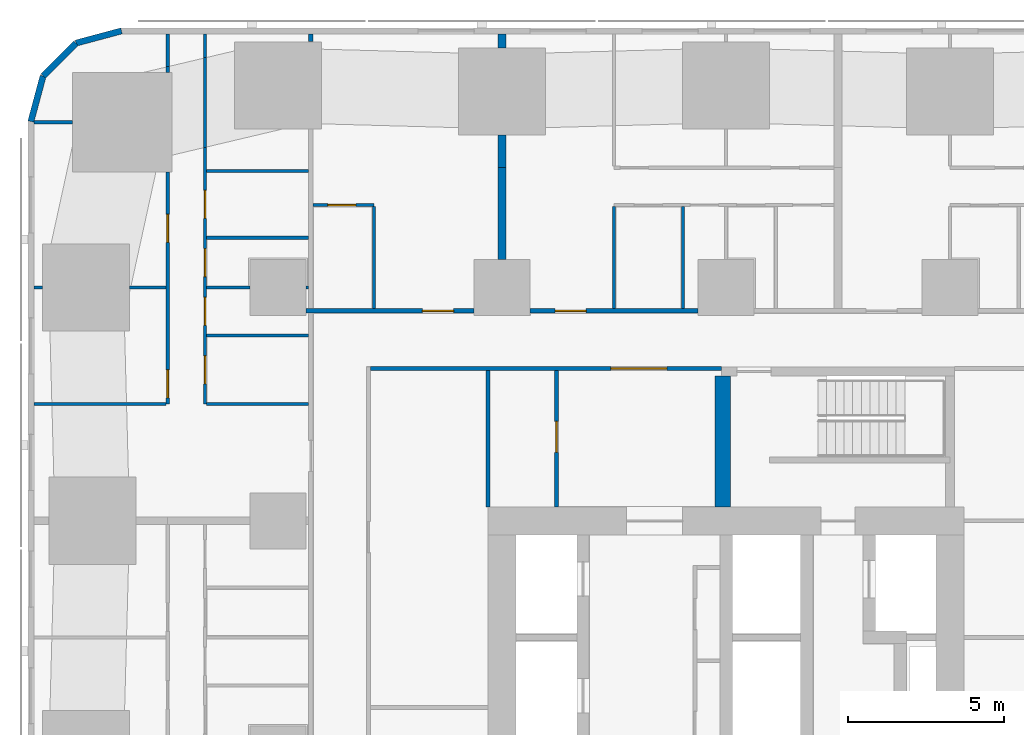
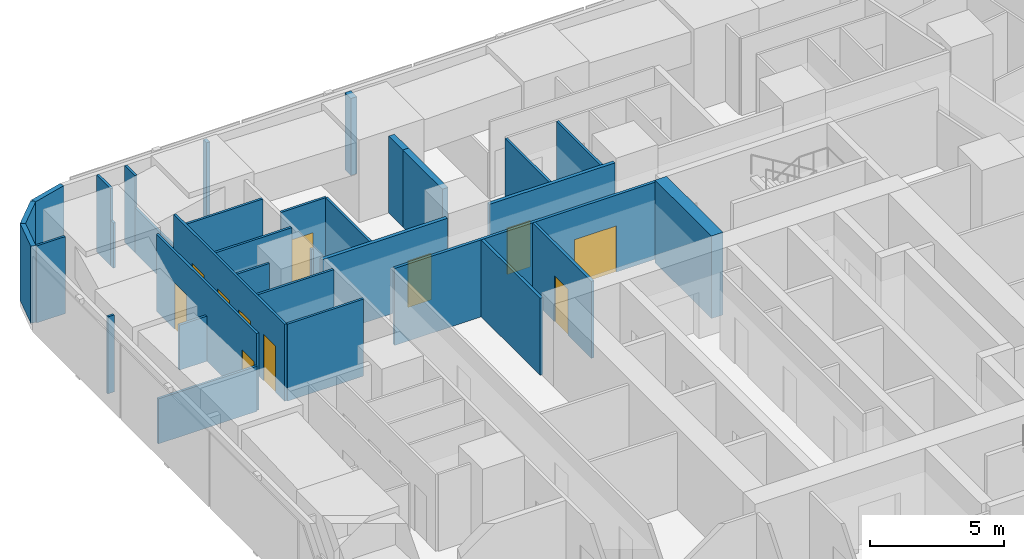
# One storey, part 11 of 18: 33 walls, 11 doors, 11 openings.
"""IFC4 building model written with IfcOpenShell, lengths in metres."""

import ifcopenshell
import ifcopenshell.guid

model = None  # the IFC model being written
_history = None  # IfcOwnerHistory: only IFC2X3 demands one
_inside = {}  # id of a spatial element -> (the spatial element, [elements in it])
_under = {}  # id of a project, library or spatial element -> (it, [spatial elements below it])
_declared = {}  # id of a project -> (the project, [libraries it declares])
_typed = {}  # id of a type object -> (the type object, [elements of that type])
_made_of = {}  # id of a material, layer set ... -> (it, [elements and type objects made of it])


def new_model(schema):
    """Start an empty IFC model of exactly this schema.

    Asked for "IFC4X3", IfcOpenShell would pick the latest addendum, in which some entities
    have other attributes; the version numbers below select the first issue.
    IFC2X3 requires an IfcOwnerHistory on every rooted entity: one is made here for all.
    """
    global model, _history
    if schema == "IFC4X3":
        model = ifcopenshell.file(schema_version=(4, 3, 0, 0))
    else:
        model = ifcopenshell.file(schema=schema)
    _inside.clear()
    _under.clear()
    _declared.clear()
    _typed.clear()
    _made_of.clear()
    _history = None
    if model.schema == "IFC2X3":
        org = make("IfcOrganization", Name="unknown")
        user = make(
            "IfcPersonAndOrganization",
            ThePerson=make("IfcPerson", FamilyName="unknown"),
            TheOrganization=org,
        )
        app = make(
            "IfcApplication",
            ApplicationDeveloper=org,
            Version="unknown",
            ApplicationFullName="unknown",
            ApplicationIdentifier="unknown",
        )
        _history = make(
            "IfcOwnerHistory",
            OwningUser=user,
            OwningApplication=app,
            ChangeAction="ADDED",
            CreationDate=0,
        )
    return model


def make(cls, **values):
    """One entity of the class cls with the attributes given. An attribute that is None is left unset."""
    return model.create_entity(
        cls, **{name: value for name, value in values.items() if value is not None}
    )


def rooted(cls, **values):
    """An entity with a GlobalId (a new one), such as an element, a storey or a relation."""
    return make(cls, GlobalId=ifcopenshell.guid.new(), OwnerHistory=_history, **values)


def si_unit(unit_type, name, prefix=None):
    """IfcSIUnit, for example si_unit("LENGTHUNIT", "METRE", prefix="MILLI")."""
    return make("IfcSIUnit", UnitType=unit_type, Prefix=prefix, Name=name)


def assignment(units):
    """IfcUnitAssignment: the units of a project."""
    return None if units is None else make("IfcUnitAssignment", Units=units)


def point(xyz):
    """IfcCartesianPoint."""
    return None if xyz is None else make("IfcCartesianPoint", Coordinates=xyz)


def direction(xyz):
    """IfcDirection."""
    return None if xyz is None else make("IfcDirection", DirectionRatios=xyz)


def frame(location, z_axis=None, x_axis=None):
    """IfcAxis2Placement3D, a coordinate frame: its origin and axes. An axis left out is left unset."""
    return make(
        "IfcAxis2Placement3D",
        Location=point(location),
        Axis=direction(z_axis),
        RefDirection=direction(x_axis),
    )


def frame_2d(location, x_axis=None):
    """IfcAxis2Placement2D, a coordinate frame in the plane: its origin and x axis."""
    return make(
        "IfcAxis2Placement2D", Location=point(location), RefDirection=direction(x_axis)
    )


def origin():
    """The frame at (0, 0, 0) with its axes left unset."""
    return frame((0.0, 0.0, 0.0))


def place(relative_to, where):
    """IfcLocalPlacement: puts the frame where relative to a parent placement (None: the world)."""
    return make(
        "IfcLocalPlacement", PlacementRelTo=relative_to, RelativePlacement=where
    )


def context(
    kind, dimensions, precision=None, world=None, true_north=None, identifier=None
):
    """IfcGeometricRepresentationContext, for example the 3D "Model" context."""
    return make(
        "IfcGeometricRepresentationContext",
        ContextIdentifier=identifier,
        ContextType=kind,
        CoordinateSpaceDimension=dimensions,
        Precision=precision,
        WorldCoordinateSystem=world,
        TrueNorth=true_north,
    )


def subcontext(parent, identifier, kind, view, scale=None):
    """IfcGeometricRepresentationSubContext, for example "Body" below "Model"."""
    return make(
        "IfcGeometricRepresentationSubContext",
        ContextIdentifier=identifier,
        ContextType=kind,
        ParentContext=parent,
        TargetScale=scale,
        TargetView=view,
    )


def project(units=None, contexts=None):
    """IfcProject with its units and contexts."""
    return rooted(
        "IfcProject",
        Name="project",
        RepresentationContexts=contexts,
        UnitsInContext=assignment(units),
    )


def spatial(cls, under=None, at=None, **own):
    """A site, building, storey or space (cls), placed at a placement, below another one or the project."""
    s = rooted(cls, ObjectPlacement=at, **own)
    if under is not None:
        _under.setdefault(under.id(), (under, []))[1].append(s)
    return s


def profile(cls, at=None, kind="AREA", **sizes):
    """A parametric profile (cls). Its sizes go by their IFC names, for example OverallWidth=200.0."""
    return make(cls, ProfileType=kind, Position=at, **sizes)


def rectangle(**sizes):
    """IfcRectangleProfileDef."""
    return profile("IfcRectangleProfileDef", **sizes)


def extrude(swept, where, along, depth):
    """IfcExtrudedAreaSolid: the profile swept, set in the frame where, extruded along a direction by depth."""
    return make(
        "IfcExtrudedAreaSolid",
        SweptArea=swept,
        Position=where,
        ExtrudedDirection=direction(along),
        Depth=depth,
    )


def shape(context_of_items, identifier, shape_type, items):
    """IfcShapeRepresentation: the items that make up one representation, for example the "Body"."""
    return make(
        "IfcShapeRepresentation",
        ContextOfItems=context_of_items,
        RepresentationIdentifier=identifier,
        RepresentationType=shape_type,
        Items=items,
    )


def material(Name=None, Category=None):
    """IfcMaterial."""
    return make("IfcMaterial", Name=Name, Category=Category)


def layer(
    of_material, thickness, ventilated=None, Name=None, Category=None, Priority=None
):
    """IfcMaterialLayer: one layer of a wall or slab, of a material (None: an air gap)."""
    return make(
        "IfcMaterialLayer",
        Material=of_material,
        LayerThickness=thickness,
        IsVentilated=ventilated,
        Name=Name,
        Category=Category,
        Priority=Priority,
    )


def layer_set(layers, Name=None):
    """IfcMaterialLayerSet."""
    return make("IfcMaterialLayerSet", MaterialLayers=layers, LayerSetName=Name)


def made_of(thing, what):
    """Note that an element or type object is made of a material, layer set ...; save() writes the relation."""
    if what is not None:
        _made_of.setdefault(what.id(), (what, []))[1].append(thing)
    return thing


def type_object(cls, material=None, **own):
    """A type object (cls), such as IfcWallType, which elements share."""
    return made_of(rooted(cls, **own), material)


def element(
    cls,
    number,
    at=None,
    inside=None,
    cuts=None,
    type_object=None,
    material=None,
    context=None,
    identifier="Body",
    shape_type=None,
    held_by="IfcProductDefinitionShape",
    body=None,
    shapes=None,
    **own,
):
    """One element of the class cls, such as IfcWall. Its Tag is "e" and its number.

    at: its placement. inside: the storey or other place that contains it. cuts: it is an
    opening in that element (IfcRelVoidsElement). A single representation is given by context,
    identifier, shape_type and body (its items); several are given by shapes. held_by: the class
    of the entity that holds the representations. save() writes the other relations.
    """
    e = rooted(cls, Tag="e%d" % number, ObjectPlacement=at, **own)
    if body is not None:
        shapes = [shape(context, identifier, shape_type, body)]
    if shapes is not None:
        e.Representation = make(held_by, Representations=shapes)
    if inside is not None:
        _inside.setdefault(inside.id(), (inside, []))[1].append(e)
    if cuts is not None:
        rooted(
            "IfcRelVoidsElement", RelatingBuildingElement=cuts, RelatedOpeningElement=e
        )
    if type_object is not None:
        _typed.setdefault(type_object.id(), (type_object, []))[1].append(e)
    return made_of(e, material)


def fill(opening, filler):
    """IfcRelFillsElement: the door or window that sits in an opening."""
    return rooted(
        "IfcRelFillsElement",
        RelatingOpeningElement=opening,
        RelatedBuildingElement=filler,
    )


def aggregate(whole, parts):
    """IfcRelAggregates: a whole, such as a stair, and the parts it consists of."""
    return rooted("IfcRelAggregates", RelatingObject=whole, RelatedObjects=parts)


def save(model, path):
    """Write the relations noted so far, then the file.

    IfcRelAggregates (storeys below a building ...), IfcRelContainedInSpatialStructure (elements
    in a storey), IfcRelDefinesByType, IfcRelAssociatesMaterial and IfcRelDeclares: one each for
    every whole, place, type object, material and project.
    """
    for whole, parts in _under.values():
        aggregate(whole, parts)
    for where, things in _inside.values():
        rooted(
            "IfcRelContainedInSpatialStructure",
            RelatedElements=things,
            RelatingStructure=where,
        )
    for kind, things in _typed.values():
        rooted("IfcRelDefinesByType", RelatedObjects=things, RelatingType=kind)
    for what, things in _made_of.values():
        rooted("IfcRelAssociatesMaterial", RelatedObjects=things, RelatingMaterial=what)
    for by, libraries in _declared.values():
        rooted("IfcRelDeclares", RelatingContext=by, RelatedDefinitions=libraries)
    model.write(path)


model = new_model("IFC4")

# Units and contexts
model_context = context("Model", 3, precision=1e-05, world=origin(), true_north=direction((0.0, 1.0)))
body_context = subcontext(model_context, "Body", "Model", "MODEL_VIEW")
ifc_project = project(units=[si_unit("LENGTHUNIT", "METRE"), si_unit("AREAUNIT", "SQUARE_METRE"), si_unit("VOLUMEUNIT", "CUBIC_METRE"), si_unit("PLANEANGLEUNIT", "RADIAN"), si_unit("MASSUNIT", "GRAM", prefix="KILO")], contexts=[model_context])

# Site, building, storey
site_placement = place(None, origin())
site = spatial("IfcSite", under=ifc_project, at=site_placement, CompositionType="ELEMENT")
building_placement = place(site_placement, origin())
building = spatial("IfcBuilding", under=site, at=building_placement, Name="Sheger Commons Tower", CompositionType="ELEMENT")
storey_placement = place(building_placement, frame((0.0, 0.0, 31.25)))
storey = spatial("IfcBuildingStorey", under=building, at=storey_placement, Name="L07", CompositionType="ELEMENT", Elevation=31.25)

# Wall
ifc_material_1 = material(Name="Hollow concrete block masonry, skimmed both sides", Category="masonry")
ifc_layer_1 = layer(ifc_material_1, 0.14990234375)
ifc_layer_set_1 = layer_set([ifc_layer_1], Name="CORRIDOR WALL 150")
wall_type_1 = type_object("IfcWallType", Name="CORRIDOR WALL 150", PredefinedType="SOLIDWALL", material=ifc_layer_set_1)
wall_1_placement = place(storey_placement, frame((8.25, 45.40087890625, 0.0), z_axis=(0.0, 0.0, 1.0), x_axis=(0.0, 1.0, 0.0)))
element("IfcWall", 1, at=wall_1_placement, inside=storey, type_object=wall_type_1, Name="Corridor wall L07", PredefinedType="SOLIDWALL", context=body_context, shape_type="SweptSolid", body=[
    extrude(rectangle(XDim=0.2490234375, YDim=0.14990234375, at=frame_2d((0.12451171875, 0.0))), origin(), (0.0, 0.0, 1.0), 3.5),
])

# Wall, opening, door
wall_2_placement = place(storey_placement, frame((8.10009765625, 36.75, 0.0), z_axis=(0.0, 0.0, 1.0), x_axis=(1.0, 0.0, 0.0)))
wall_2 = element("IfcWall", 2, at=wall_2_placement, inside=storey, type_object=wall_type_1, Name="Corridor wall L07", PredefinedType="SOLIDWALL", context=body_context, shape_type="SweptSolid", body=[
    extrude(rectangle(XDim=5.39892578125, YDim=0.14990234375, at=frame_2d((2.699462890625, 0.0))), origin(), (0.0, 0.0, 1.0), 3.5),
])
opening_1_placement = place(wall_2_placement, frame((3.739013671875, 0.0, 0.0)))
opening_1 = element("IfcOpeningElement", 3, at=opening_1_placement, cuts=wall_2, Name="Opening D1", PredefinedType="OPENING", context=body_context, shape_type="SweptSolid", body=[
    extrude(rectangle(XDim=1.0, YDim=2.10009765625, at=frame_2d((0.5, 1.050048828125))), frame((0.0, 0.0849609375, 0.0), z_axis=(0.0, -1.0, 0.0), x_axis=(1.0, 0.0, 0.0)), (0.0, 0.0, 1.0), 0.169921875),
])
ifc_material_2 = material(Name="Steel door set, fire rated", Category="steel")
door_type_1 = type_object("IfcDoorType", Name="FLAT ENTRANCE DOOR 1000x2100", OperationType="NOTDEFINED", PredefinedType="DOOR", material=ifc_material_2)
door_1_placement = place(opening_1_placement, origin())
door_1 = element("IfcDoor", 4, at=door_1_placement, inside=storey, type_object=door_type_1, Name="Flat entrance door", OperationType="SINGLE_SWING_RIGHT", OverallHeight=2.10009765625, OverallWidth=1.0, PredefinedType="DOOR", context=body_context, shape_type="SweptSolid", body=[
    extrude(rectangle(XDim=1.0, YDim=2.10009765625, at=frame_2d((0.5, 1.050048828125))), frame((0.0, 0.02490234375, 0.0), z_axis=(0.0, -1.0, 0.0), x_axis=(1.0, 0.0, 0.0)), (0.0, 0.0, 1.0), 0.050048828125),
])
fill(opening_1, door_1)

wall_3_placement = place(storey_placement, frame((15.301025390625, 36.75, 0.0), z_axis=(0.0, 0.0, 1.0), x_axis=(1.0, 0.0, 0.0)))
wall_3 = element("IfcWall", 5, at=wall_3_placement, inside=storey, type_object=wall_type_1, Name="Corridor wall L07", PredefinedType="SOLIDWALL", context=body_context, shape_type="SweptSolid", body=[
    extrude(rectangle(XDim=5.39794921875, YDim=0.14990234375, at=frame_2d((2.698974609375, 0.0))), origin(), (0.0, 0.0, 1.0), 3.5),
])
opening_2_placement = place(wall_3_placement, frame((0.799072265625, 0.0, 0.0)))
opening_2 = element("IfcOpeningElement", 6, at=opening_2_placement, cuts=wall_3, Name="Opening D1", PredefinedType="OPENING", context=body_context, shape_type="SweptSolid", body=[
    extrude(rectangle(XDim=1.0, YDim=2.10009765625, at=frame_2d((0.5, 1.050048828125))), frame((0.0, 0.0849609375, 0.0), z_axis=(0.0, -1.0, 0.0), x_axis=(1.0, 0.0, 0.0)), (0.0, 0.0, 1.0), 0.169921875),
])
door_2_placement = place(opening_2_placement, origin())
door_2 = element("IfcDoor", 7, at=door_2_placement, inside=storey, type_object=door_type_1, Name="Flat entrance door", OperationType="SINGLE_SWING_LEFT", OverallHeight=2.10009765625, OverallWidth=1.0, PredefinedType="DOOR", context=body_context, shape_type="SweptSolid", body=[
    extrude(rectangle(XDim=1.0, YDim=2.10009765625, at=frame_2d((0.5, 1.050048828125))), frame((0.0, 0.02490234375, 0.0), z_axis=(0.0, -1.0, 0.0), x_axis=(1.0, 0.0, 0.0)), (0.0, 0.0, 1.0), 0.050048828125),
])
fill(opening_2, door_2)

# Walls
ifc_material_3 = material(Name="Dense concrete block masonry, plastered both sides (separating wall between flats)", Category="masonry")
ifc_layer_2 = layer(ifc_material_3, 0.25)
ifc_layer_set_2 = layer_set([ifc_layer_2], Name="DEMISING WALL 250")
wall_type_2 = type_object("IfcWallType", Name="DEMISING WALL 250", PredefinedType="SOLIDWALL", material=ifc_layer_set_2)
wall_4_placement = place(storey_placement, frame((14.39990234375, 41.35009765625, 0.0), z_axis=(0.0, 0.0, 1.0), x_axis=(0.0, 1.0, 0.0)))
element("IfcWall", 8, at=wall_4_placement, inside=storey, type_object=wall_type_2, Name="Demising wall L07", PredefinedType="SOLIDWALL", context=body_context, shape_type="SweptSolid", body=[
    extrude(rectangle(XDim=1.048828125, YDim=0.25, at=frame_2d((0.5244140625, 0.0))), origin(), (0.0, 0.0, 1.0), 3.5),
])
wall_5_placement = place(storey_placement, frame((14.39990234375, 45.200927734375, 0.0), z_axis=(0.0, 0.0, 1.0), x_axis=(0.0, 1.0, 0.0)))
element("IfcWall", 9, at=wall_5_placement, inside=storey, type_object=wall_type_2, Name="Demising wall L07", PredefinedType="SOLIDWALL", context=body_context, shape_type="SweptSolid", body=[
    extrude(rectangle(XDim=0.448974609375, YDim=0.25, at=frame_2d((0.224609375, 0.0))), origin(), (0.0, 0.0, 1.0), 3.5),
])
wall_6_placement = place(storey_placement, frame((14.39990234375, 38.40087890625, 0.0), z_axis=(0.0, 0.0, 1.0), x_axis=(0.0, 1.0, 0.0)))
element("IfcWall", 10, at=wall_6_placement, inside=storey, type_object=wall_type_2, Name="Demising wall L07", PredefinedType="SOLIDWALL", context=body_context, shape_type="SweptSolid", body=[
    extrude(rectangle(XDim=2.94921875, YDim=0.25, at=frame_2d((1.474609375, 0.0))), origin(), (0.0, 0.0, 1.0), 3.5),
])
ifc_material_4 = material(Name="Rendered concrete block masonry, dark grey", Category="masonry")
ifc_layer_3 = layer(ifc_material_4, 0.199951171875)
ifc_layer_set_3 = layer_set([ifc_layer_3], Name="FACADE WALL 200")
wall_type_3 = type_object("IfcWallType", Name="FACADE WALL 200", PredefinedType="SOLIDWALL", material=ifc_layer_set_3)
wall_7_placement = place(storey_placement, frame((2.1630859375, 45.75, 0.0), z_axis=(0.0, 0.0, 1.0), x_axis=(-0.965832000415, -0.259168954497, 0.0)))
element("IfcWall", 11, at=wall_7_placement, inside=storey, type_object=wall_type_3, Name="Facade wall L07", PredefinedType="SOLIDWALL", context=body_context, shape_type="SweptSolid", body=[
    extrude(rectangle(XDim=1.512939453125, YDim=0.199951171875, at=frame_2d((0.75634765625, 0.0))), origin(), (0.0, 0.0, 1.0), 3.5),
])
wall_8_placement = place(storey_placement, frame((0.701904296875, 45.35791015625, 0.0), z_axis=(0.0, 0.0, 1.0), x_axis=(-0.707106781187, -0.707106781187, 0.0)))
element("IfcWall", 12, at=wall_8_placement, inside=storey, type_object=wall_type_3, Name="Facade wall L07", PredefinedType="SOLIDWALL", context=body_context, shape_type="SweptSolid", body=[
    extrude(rectangle(XDim=1.498779296875, YDim=0.199951171875, at=frame_2d((0.74951171875, 0.0))), origin(), (0.0, 0.0, 1.0), 3.5),
])
wall_9_placement = place(storey_placement, frame((-0.35791015625, 44.298095703125, 0.0), z_axis=(0.0, 0.0, 1.0), x_axis=(-0.259168954497, -0.965832000415, 0.0)))
element("IfcWall", 13, at=wall_9_placement, inside=storey, type_object=wall_type_3, Name="Facade wall L07", PredefinedType="SOLIDWALL", context=body_context, shape_type="SweptSolid", body=[
    extrude(rectangle(XDim=1.512939453125, YDim=0.199951171875, at=frame_2d((0.75634765625, 0.0))), origin(), (0.0, 0.0, 1.0), 3.5),
])

# Wall, openings, doors
ifc_material_5 = material(Name="Gypsum board on steel studs", Category="steel")
ifc_layer_4 = layer(ifc_material_5, 0.10009765625)
ifc_layer_set_4 = layer_set([ifc_layer_4], Name="PARTITION 100")
wall_type_4 = type_object("IfcWallType", Name="PARTITION 100", PredefinedType="PARTITIONING", material=ifc_layer_set_4)
wall_10_placement = place(storey_placement, frame((3.64990234375, 33.75, 0.0), z_axis=(0.0, 0.0, 1.0), x_axis=(0.0, 1.0, 0.0)))
wall_10 = element("IfcWall", 14, at=wall_10_placement, inside=storey, type_object=wall_type_4, Name="Partition L07", PredefinedType="PARTITIONING", context=body_context, shape_type="SweptSolid", body=[
    extrude(rectangle(XDim=7.462890625, YDim=0.10009765625, at=frame_2d((3.7314453125, 0.0))), origin(), (0.0, 0.0, 1.0), 3.5),
])
opening_3_placement = place(wall_10_placement, frame((0.199951171875, 0.0, 0.0)))
opening_3 = element("IfcOpeningElement", 15, at=opening_3_placement, cuts=wall_10, Name="Opening D2", PredefinedType="OPENING", context=body_context, shape_type="SweptSolid", body=[
    extrude(rectangle(XDim=0.89990234375, YDim=2.10009765625, at=frame_2d((0.449951171875, 1.050048828125))), frame((0.0, 0.06005859375, 0.0), z_axis=(0.0, -1.0, 0.0), x_axis=(1.0, 0.0, 0.0)), (0.0, 0.0, 1.0), 0.1201171875),
])
opening_4_placement = place(wall_10_placement, frame((5.199951171875, 0.0, 0.0)))
opening_4 = element("IfcOpeningElement", 16, at=opening_4_placement, cuts=wall_10, Name="Opening D2", PredefinedType="OPENING", context=body_context, shape_type="SweptSolid", body=[
    extrude(rectangle(XDim=0.89990234375, YDim=2.10009765625, at=frame_2d((0.449951171875, 1.050048828125))), frame((0.0, 0.06005859375, 0.0), z_axis=(0.0, -1.0, 0.0), x_axis=(1.0, 0.0, 0.0)), (0.0, 0.0, 1.0), 0.1201171875),
])
ifc_material_6 = material(Name="Timber door set", Category="wood")
door_type_2 = type_object("IfcDoorType", Name="INTERNAL DOOR 900x2100", OperationType="NOTDEFINED", PredefinedType="DOOR", material=ifc_material_6)
door_3_placement = place(opening_3_placement, origin())
door_3 = element("IfcDoor", 17, at=door_3_placement, inside=storey, type_object=door_type_2, Name="Main bedroom door", OperationType="SINGLE_SWING_LEFT", OverallHeight=2.10009765625, OverallWidth=0.89990234375, PredefinedType="DOOR", context=body_context, shape_type="SweptSolid", body=[
    extrude(rectangle(XDim=0.89990234375, YDim=2.10009765625, at=frame_2d((0.449951171875, 1.050048828125))), frame((0.0, 0.02490234375, 0.0), z_axis=(0.0, -1.0, 0.0), x_axis=(1.0, 0.0, 0.0)), (0.0, 0.0, 1.0), 0.050048828125),
])
fill(opening_3, door_3)
door_4_placement = place(opening_4_placement, origin())
door_4 = element("IfcDoor", 18, at=door_4_placement, inside=storey, type_object=door_type_2, Name="Bedroom 2 door", OperationType="SINGLE_SWING_RIGHT", OverallHeight=2.10009765625, OverallWidth=0.89990234375, PredefinedType="DOOR", context=body_context, shape_type="SweptSolid", body=[
    extrude(rectangle(XDim=0.89990234375, YDim=2.10009765625, at=frame_2d((0.449951171875, 1.050048828125))), frame((0.0, 0.02490234375, 0.0), z_axis=(0.0, -1.0, 0.0), x_axis=(1.0, 0.0, 0.0)), (0.0, 0.0, 1.0), 0.050048828125),
])
fill(opening_4, door_4)

# Walls
wall_11_placement = place(storey_placement, frame((3.64990234375, 44.4150390625, 0.0), z_axis=(0.0, 0.0, 1.0), x_axis=(0.0, 1.0, 0.0)))
element("IfcWall", 19, at=wall_11_placement, inside=storey, type_object=wall_type_4, Name="Partition L07", PredefinedType="PARTITIONING", context=body_context, shape_type="SweptSolid", body=[
    extrude(rectangle(XDim=0.196044921875, YDim=0.10009765625, at=frame_2d((0.09814453125, 0.0))), origin(), (0.0, 0.0, 1.0), 2.050048828125),
])
wall_12_placement = place(storey_placement, frame((3.64990234375, 44.611083984375, 0.0), z_axis=(0.0, 0.0, 1.0), x_axis=(0.0, 1.0, 0.0)))
element("IfcWall", 20, at=wall_12_placement, inside=storey, type_object=wall_type_4, Name="Partition L07", PredefinedType="PARTITIONING", context=body_context, shape_type="SweptSolid", body=[
    extrude(rectangle(XDim=1.038818359375, YDim=0.10009765625, at=frame_2d((0.51953125, 0.0))), origin(), (0.0, 0.0, 1.0), 3.5),
])

# Wall, openings, doors
wall_13_placement = place(storey_placement, frame((4.85009765625, 33.75, 0.0), z_axis=(0.0, 0.0, 1.0), x_axis=(0.0, 1.0, 0.0)))
wall_13 = element("IfcWall", 21, at=wall_13_placement, inside=storey, type_object=wall_type_4, Name="Partition L07", PredefinedType="PARTITIONING", context=body_context, shape_type="SweptSolid", body=[
    extrude(rectangle(XDim=8.243896484375, YDim=0.10009765625, at=frame_2d((4.1220703125, 0.0))), origin(), (0.0, 0.0, 1.0), 3.5),
])
opening_5_placement = place(wall_13_placement, frame((0.655029296875, 0.0, 0.0)))
opening_5 = element("IfcOpeningElement", 22, at=opening_5_placement, cuts=wall_13, Name="Opening D2", PredefinedType="OPENING", context=body_context, shape_type="SweptSolid", body=[
    extrude(rectangle(XDim=0.89990234375, YDim=2.10009765625, at=frame_2d((0.449951171875, 1.050048828125))), frame((0.0, 0.06005859375, 0.0), z_axis=(0.0, -1.0, 0.0), x_axis=(1.0, 0.0, 0.0)), (0.0, 0.0, 1.0), 0.1201171875),
])
opening_6_placement = place(wall_13_placement, frame((4.10009765625, 0.0, 0.0)))
opening_6 = element("IfcOpeningElement", 23, at=opening_6_placement, cuts=wall_13, Name="Opening D2", PredefinedType="OPENING", context=body_context, shape_type="SweptSolid", body=[
    extrude(rectangle(XDim=0.89990234375, YDim=2.10009765625, at=frame_2d((0.449951171875, 1.050048828125))), frame((0.0, 0.06005859375, 0.0), z_axis=(0.0, -1.0, 0.0), x_axis=(1.0, 0.0, 0.0)), (0.0, 0.0, 1.0), 0.1201171875),
])
opening_7_placement = place(wall_13_placement, frame((2.530029296875, 0.0, 0.0)))
opening_7 = element("IfcOpeningElement", 24, at=opening_7_placement, cuts=wall_13, Name="Opening D2", PredefinedType="OPENING", context=body_context, shape_type="SweptSolid", body=[
    extrude(rectangle(XDim=0.89990234375, YDim=2.10009765625, at=frame_2d((0.449951171875, 1.050048828125))), frame((0.0, 0.06005859375, 0.0), z_axis=(0.0, -1.0, 0.0), x_axis=(1.0, 0.0, 0.0)), (0.0, 0.0, 1.0), 0.1201171875),
])
opening_8_placement = place(wall_13_placement, frame((5.97509765625, 0.0, 0.0)))
opening_8 = element("IfcOpeningElement", 25, at=opening_8_placement, cuts=wall_13, Name="Opening D2", PredefinedType="OPENING", context=body_context, shape_type="SweptSolid", body=[
    extrude(rectangle(XDim=0.89990234375, YDim=2.10009765625, at=frame_2d((0.449951171875, 1.050048828125))), frame((0.0, 0.06005859375, 0.0), z_axis=(0.0, -1.0, 0.0), x_axis=(1.0, 0.0, 0.0)), (0.0, 0.0, 1.0), 0.1201171875),
])
door_5_placement = place(opening_5_placement, origin())
door_5 = element("IfcDoor", 26, at=door_5_placement, inside=storey, type_object=door_type_2, Name="Bathroom door", OperationType="SINGLE_SWING_RIGHT", OverallHeight=2.10009765625, OverallWidth=0.89990234375, PredefinedType="DOOR", context=body_context, shape_type="SweptSolid", body=[
    extrude(rectangle(XDim=0.89990234375, YDim=2.10009765625, at=frame_2d((0.449951171875, 1.050048828125))), frame((0.0, 0.02490234375, 0.0), z_axis=(0.0, -1.0, 0.0), x_axis=(1.0, 0.0, 0.0)), (0.0, 0.0, 1.0), 0.050048828125),
])
fill(opening_5, door_5)
door_6_placement = place(opening_6_placement, origin())
door_6 = element("IfcDoor", 27, at=door_6_placement, inside=storey, type_object=door_type_2, Name="Shower room door", OperationType="SINGLE_SWING_RIGHT", OverallHeight=2.10009765625, OverallWidth=0.89990234375, PredefinedType="DOOR", context=body_context, shape_type="SweptSolid", body=[
    extrude(rectangle(XDim=0.89990234375, YDim=2.10009765625, at=frame_2d((0.449951171875, 1.050048828125))), frame((0.0, 0.02490234375, 0.0), z_axis=(0.0, -1.0, 0.0), x_axis=(1.0, 0.0, 0.0)), (0.0, 0.0, 1.0), 0.050048828125),
])
fill(opening_6, door_6)
door_7_placement = place(opening_7_placement, origin())
door_7 = element("IfcDoor", 28, at=door_7_placement, inside=storey, type_object=door_type_2, Name="Store door", OperationType="SINGLE_SWING_RIGHT", OverallHeight=2.10009765625, OverallWidth=0.89990234375, PredefinedType="DOOR", context=body_context, shape_type="SweptSolid", body=[
    extrude(rectangle(XDim=0.89990234375, YDim=2.10009765625, at=frame_2d((0.449951171875, 1.050048828125))), frame((0.0, 0.02490234375, 0.0), z_axis=(0.0, -1.0, 0.0), x_axis=(1.0, 0.0, 0.0)), (0.0, 0.0, 1.0), 0.050048828125),
])
fill(opening_7, door_7)
door_8_placement = place(opening_8_placement, origin())
door_8 = element("IfcDoor", 29, at=door_8_placement, inside=storey, type_object=door_type_2, Name="Store door", OperationType="SINGLE_SWING_LEFT", OverallHeight=2.10009765625, OverallWidth=0.89990234375, PredefinedType="DOOR", context=body_context, shape_type="SweptSolid", body=[
    extrude(rectangle(XDim=0.89990234375, YDim=2.10009765625, at=frame_2d((0.449951171875, 1.050048828125))), frame((0.0, 0.02490234375, 0.0), z_axis=(0.0, -1.0, 0.0), x_axis=(1.0, 0.0, 0.0)), (0.0, 0.0, 1.0), 0.050048828125),
])
fill(opening_8, door_8)

# Walls
wall_14_placement = place(storey_placement, frame((4.85009765625, 41.993896484375, 0.0), z_axis=(0.0, 0.0, 1.0), x_axis=(0.0, 1.0, 0.0)))
element("IfcWall", 30, at=wall_14_placement, inside=storey, type_object=wall_type_4, Name="Partition L07", PredefinedType="PARTITIONING", context=body_context, shape_type="SweptSolid", body=[
    extrude(rectangle(XDim=2.901123046875, YDim=0.10009765625, at=frame_2d((1.45068359375, 0.0))), origin(), (0.0, 0.0, 1.0), 2.050048828125),
])
wall_15_placement = place(storey_placement, frame((4.85009765625, 44.89501953125, 0.0), z_axis=(0.0, 0.0, 1.0), x_axis=(0.0, 1.0, 0.0)))
element("IfcWall", 31, at=wall_15_placement, inside=storey, type_object=wall_type_4, Name="Partition L07", PredefinedType="PARTITIONING", context=body_context, shape_type="SweptSolid", body=[
    extrude(rectangle(XDim=0.7548828125, YDim=0.10009765625, at=frame_2d((0.37744140625, 0.0))), origin(), (0.0, 0.0, 1.0), 3.5),
])
wall_16_placement = place(storey_placement, frame((-0.64990234375, 33.75, 0.0), z_axis=(0.0, 0.0, 1.0), x_axis=(1.0, 0.0, 0.0)))
element("IfcWall", 32, at=wall_16_placement, inside=storey, type_object=wall_type_4, Name="Partition L07", PredefinedType="PARTITIONING", context=body_context, shape_type="SweptSolid", body=[
    extrude(rectangle(XDim=4.25, YDim=0.10009765625, at=frame_2d((2.125, 0.0))), origin(), (0.0, 0.0, 1.0), 2.050048828125),
])
wall_17_placement = place(storey_placement, frame((-0.64990234375, 37.5, 0.0), z_axis=(0.0, 0.0, 1.0), x_axis=(1.0, 0.0, 0.0)))
element("IfcWall", 33, at=wall_17_placement, inside=storey, type_object=wall_type_4, Name="Partition L07", PredefinedType="PARTITIONING", context=body_context, shape_type="SweptSolid", body=[
    extrude(rectangle(XDim=0.27392578125, YDim=0.10009765625, at=frame_2d((0.136962890625, 0.0))), origin(), (0.0, 0.0, 1.0), 3.5),
])
wall_18_placement = place(storey_placement, frame((2.426025390625, 37.5, 0.0), z_axis=(0.0, 0.0, 1.0), x_axis=(1.0, 0.0, 0.0)))
element("IfcWall", 34, at=wall_18_placement, inside=storey, type_object=wall_type_4, Name="Partition L07", PredefinedType="PARTITIONING", context=body_context, shape_type="SweptSolid", body=[
    extrude(rectangle(XDim=1.174072265625, YDim=0.10009765625, at=frame_2d((0.5869140625, 0.0))), origin(), (0.0, 0.0, 1.0), 2.050048828125),
])
wall_19_placement = place(storey_placement, frame((-0.64990234375, 42.81396484375, 0.0), z_axis=(0.0, 0.0, 1.0), x_axis=(1.0, 0.0, 0.0)))
element("IfcWall", 35, at=wall_19_placement, inside=storey, type_object=wall_type_4, Name="Partition L07", PredefinedType="PARTITIONING", context=body_context, shape_type="SweptSolid", body=[
    extrude(rectangle(XDim=1.23486328125, YDim=0.10009765625, at=frame_2d((0.617431640625, 0.0))), origin(), (0.0, 0.0, 1.0), 3.5),
])
wall_20_placement = place(storey_placement, frame((4.89990234375, 33.75, 0.0), z_axis=(0.0, 0.0, 1.0), x_axis=(1.0, 0.0, 0.0)))
element("IfcWall", 36, at=wall_20_placement, inside=storey, type_object=wall_type_4, Name="Partition L07", PredefinedType="PARTITIONING", context=body_context, shape_type="SweptSolid", body=[
    extrude(rectangle(XDim=3.275146484375, YDim=0.10009765625, at=frame_2d((1.6376953125, 0.0))), origin(), (0.0, 0.0, 1.0), 3.5),
])
wall_21_placement = place(storey_placement, frame((4.89990234375, 37.5, 0.0), z_axis=(0.0, 0.0, 1.0), x_axis=(1.0, 0.0, 0.0)))
element("IfcWall", 37, at=wall_21_placement, inside=storey, type_object=wall_type_4, Name="Partition L07", PredefinedType="PARTITIONING", context=body_context, shape_type="SweptSolid", body=[
    extrude(rectangle(XDim=1.399169921875, YDim=0.10009765625, at=frame_2d((0.69970703125, 0.0))), origin(), (0.0, 0.0, 1.0), 3.5),
])
wall_22_placement = place(storey_placement, frame((8.10107421875, 37.5, 0.0), z_axis=(0.0, 0.0, 1.0), x_axis=(1.0, 0.0, 0.0)))
element("IfcWall", 38, at=wall_22_placement, inside=storey, type_object=wall_type_4, Name="Partition L07", PredefinedType="PARTITIONING", context=body_context, shape_type="SweptSolid", body=[
    extrude(rectangle(XDim=0.073974609375, YDim=0.10009765625, at=frame_2d((0.037109375, 0.0))), origin(), (0.0, 0.0, 1.0), 3.5),
])
for number, where, z_axis, x_axis, name in (
    (39, (4.89990234375, 41.25, 0.0), (0.0, 0.0, 1.0), (1.0, 0.0, 0.0), "Partition L07"),
    (40, (4.89990234375, 35.9599609375, 0.0), (0.0, 0.0, 1.0), (1.0, 0.0, 0.0), "Partition L07"),
    (41, (4.89990234375, 39.10009765625, 0.0), (0.0, 0.0, 1.0), (1.0, 0.0, 0.0), "Partition L07"),
):
    element("IfcWall", number, at=place(storey_placement, frame(where, z_axis=z_axis, x_axis=x_axis)), inside=storey, type_object=wall_type_4, Name=name, PredefinedType="PARTITIONING", context=body_context, shape_type="SweptSolid", body=[
        extrude(rectangle(XDim=3.275146484375, YDim=0.10009765625, at=frame_2d((1.6376953125, 0.0))), origin(), (0.0, 0.0, 1.0), 3.5),
    ])

# Wall, opening, door
wall_23_placement = place(storey_placement, frame((8.324951171875, 40.14990234375, 0.0), z_axis=(0.0, 0.0, 1.0), x_axis=(1.0, 0.0, 0.0)))
wall_23 = element("IfcWall", 42, at=wall_23_placement, inside=storey, type_object=wall_type_4, Name="Partition L07", PredefinedType="PARTITIONING", context=body_context, shape_type="SweptSolid", body=[
    extrude(rectangle(XDim=1.9541015625, YDim=0.10009765625, at=frame_2d((0.97705078125, 0.0))), origin(), (0.0, 0.0, 1.0), 3.5),
])
opening_9_placement = place(wall_23_placement, frame((0.47509765625, 0.0, 0.0)))
opening_9 = element("IfcOpeningElement", 43, at=opening_9_placement, cuts=wall_23, Name="Opening D2", PredefinedType="OPENING", context=body_context, shape_type="SweptSolid", body=[
    extrude(rectangle(XDim=0.89990234375, YDim=2.10009765625, at=frame_2d((0.449951171875, 1.050048828125))), frame((0.0, 0.06005859375, 0.0), z_axis=(0.0, -1.0, 0.0), x_axis=(1.0, 0.0, 0.0)), (0.0, 0.0, 1.0), 0.1201171875),
])
door_9_placement = place(opening_9_placement, origin())
door_9 = element("IfcDoor", 44, at=door_9_placement, inside=storey, type_object=door_type_2, Name="Shower room door", OperationType="SINGLE_SWING_RIGHT", OverallHeight=2.10009765625, OverallWidth=0.89990234375, PredefinedType="DOOR", context=body_context, shape_type="SweptSolid", body=[
    extrude(rectangle(XDim=0.89990234375, YDim=2.10009765625, at=frame_2d((0.449951171875, 1.050048828125))), frame((0.0, 0.02490234375, 0.0), z_axis=(0.0, -1.0, 0.0), x_axis=(1.0, 0.0, 0.0)), (0.0, 0.0, 1.0), 0.050048828125),
])
fill(opening_9, door_9)

# Walls
for number, where, z_axis, x_axis, name in (
    (45, (10.279052734375, 36.824951171875, 0.0), (0.0, 0.0, 1.0), (0.0, 1.0, 0.0), "Partition L07"),
    (46, (18.0, 36.824951171875, 0.0), (0.0, 0.0, 1.0), (0.0, 1.0, 0.0), "Partition L07"),
    (47, (20.2099609375, 36.824951171875, 0.0), (0.0, 0.0, 1.0), (0.0, 1.0, 0.0), "Partition L07"),
):
    element("IfcWall", number, at=place(storey_placement, frame(where, z_axis=z_axis, x_axis=x_axis)), inside=storey, type_object=wall_type_4, Name=name, PredefinedType="PARTITIONING", context=body_context, shape_type="SweptSolid", body=[
        extrude(rectangle(XDim=3.275146484375, YDim=0.10009765625, at=frame_2d((1.6376953125, 0.0))), origin(), (0.0, 0.0, 1.0), 3.5),
    ])
ifc_material_7 = material(Name="Gypsum board on steel studs, two layers each side, fire rated", Category="steel")
ifc_layer_5 = layer(ifc_material_7, 0.125)
ifc_layer_set_5 = layer_set([ifc_layer_5], Name="SERVICE WALL 125")
wall_type_5 = type_object("IfcWallType", Name="SERVICE WALL 125", PredefinedType="PARTITIONING", material=ifc_layer_set_5)
wall_24_placement = place(storey_placement, frame((13.949951171875, 30.449951171875, 0.0), z_axis=(0.0, 0.0, 1.0), x_axis=(0.0, 1.0, 0.0)))
element("IfcWall", 48, at=wall_24_placement, inside=storey, type_object=wall_type_5, Name="Service room wall L07", PredefinedType="PARTITIONING", context=body_context, shape_type="SweptSolid", body=[
    extrude(rectangle(XDim=4.386962890625, YDim=0.125, at=frame_2d((2.193359375, 0.0))), origin(), (0.0, 0.0, 1.0), 3.5),
])

# Wall, opening, door
wall_25_placement = place(storey_placement, frame((10.1630859375, 34.89990234375, 0.0), z_axis=(0.0, 0.0, 1.0), x_axis=(1.0, 0.0, 0.0)))
wall_25 = element("IfcWall", 49, at=wall_25_placement, inside=storey, type_object=wall_type_5, Name="Service room wall L07", PredefinedType="PARTITIONING", context=body_context, shape_type="SweptSolid", body=[
    extrude(rectangle(XDim=11.286865234375, YDim=0.125, at=frame_2d((5.6435546875, 0.0))), origin(), (0.0, 0.0, 1.0), 3.5),
])
opening_10_placement = place(wall_25_placement, frame((7.737060546875, 0.0, 0.0)))
opening_10 = element("IfcOpeningElement", 50, at=opening_10_placement, cuts=wall_25, Name="Opening D6", PredefinedType="OPENING", context=body_context, shape_type="SweptSolid", body=[
    extrude(rectangle(XDim=1.800048828125, YDim=2.10009765625, at=frame_2d((0.89990234375, 1.050048828125))), frame((0.0, 0.072509765625, 0.0), z_axis=(0.0, -1.0, 0.0), x_axis=(1.0, 0.0, 0.0)), (0.0, 0.0, 1.0), 0.14501953125),
])
ifc_material_8 = material(Name="Steel door set, fire rated", Category="steel")
door_type_3 = type_object("IfcDoorType", Name="LOBBY DOUBLE DOOR 1800x2100", OperationType="DOUBLE_DOOR_SINGLE_SWING", PredefinedType="DOOR", material=ifc_material_8)
door_10_placement = place(opening_10_placement, origin())
door_10 = element("IfcDoor", 51, at=door_10_placement, inside=storey, type_object=door_type_3, Name="Lift lobby north door", OperationType="DOUBLE_DOOR_SINGLE_SWING", OverallHeight=2.10009765625, OverallWidth=1.800048828125, PredefinedType="DOOR", context=body_context, shape_type="SweptSolid", body=[
    extrude(rectangle(XDim=1.800048828125, YDim=2.10009765625, at=frame_2d((0.89990234375, 1.050048828125))), frame((0.0, 0.02490234375, 0.0), z_axis=(0.0, -1.0, 0.0), x_axis=(1.0, 0.0, 0.0)), (0.0, 0.0, 1.0), 0.050048828125),
])
fill(opening_10, door_10)

wall_26_placement = place(storey_placement, frame((16.14990234375, 30.449951171875, 0.0), z_axis=(0.0, 0.0, 1.0), x_axis=(0.0, 1.0, 0.0)))
wall_26 = element("IfcWall", 52, at=wall_26_placement, inside=storey, type_object=wall_type_5, Name="Service room wall L07", PredefinedType="PARTITIONING", context=body_context, shape_type="SweptSolid", body=[
    extrude(rectangle(XDim=4.386962890625, YDim=0.125, at=frame_2d((2.193359375, 0.0))), origin(), (0.0, 0.0, 1.0), 3.5),
])
opening_11_placement = place(wall_26_placement, frame((1.75, 0.0, 0.0)))
opening_11 = element("IfcOpeningElement", 53, at=opening_11_placement, cuts=wall_26, Name="Opening D4", PredefinedType="OPENING", context=body_context, shape_type="SweptSolid", body=[
    extrude(rectangle(XDim=1.0, YDim=2.10009765625, at=frame_2d((0.5, 1.050048828125))), frame((0.0, 0.072509765625, 0.0), z_axis=(0.0, -1.0, 0.0), x_axis=(1.0, 0.0, 0.0)), (0.0, 0.0, 1.0), 0.14501953125),
])
ifc_material_9 = material(Name="Steel door set, fire rated", Category="steel")
door_type_4 = type_object("IfcDoorType", Name="SERVICE DOOR 1000x2100", OperationType="NOTDEFINED", PredefinedType="DOOR", material=ifc_material_9)
door_11_placement = place(opening_11_placement, origin())
door_11 = element("IfcDoor", 54, at=door_11_placement, inside=storey, type_object=door_type_4, Name="Telecom room door", OperationType="SINGLE_SWING_RIGHT", OverallHeight=2.10009765625, OverallWidth=1.0, PredefinedType="DOOR", context=body_context, shape_type="SweptSolid", body=[
    extrude(rectangle(XDim=1.0, YDim=2.10009765625, at=frame_2d((0.5, 1.050048828125))), frame((0.0, 0.02490234375, 0.0), z_axis=(0.0, -1.0, 0.0), x_axis=(1.0, 0.0, 0.0)), (0.0, 0.0, 1.0), 0.050048828125),
])
fill(opening_11, door_11)

# Wall
ifc_material_10 = material(Name="Concrete C50/60", Category="concrete")
ifc_layer_6 = layer(ifc_material_10, 0.5)
ifc_layer_set_6 = layer_set([ifc_layer_6], Name="STAIR CORE WALL 500")
wall_type_6 = type_object("IfcWallType", Name="STAIR CORE WALL 500", PredefinedType="SHEAR", material=ifc_layer_set_6)
wall_27_placement = place(storey_placement, frame((21.5, 30.449951171875, 0.0), z_axis=(0.0, 0.0, 1.0), x_axis=(0.0, 1.0, 0.0)))
element("IfcWall", 55, at=wall_27_placement, inside=storey, type_object=wall_type_6, Name="STW-L07-S2W", PredefinedType="SHEAR", context=body_context, shape_type="SweptSolid", body=[
    extrude(rectangle(XDim=4.199951171875, YDim=0.5, at=frame_2d((2.10009765625, 0.0))), origin(), (0.0, 0.0, 1.0), 3.75),
])

save(model, "model.ifc")
